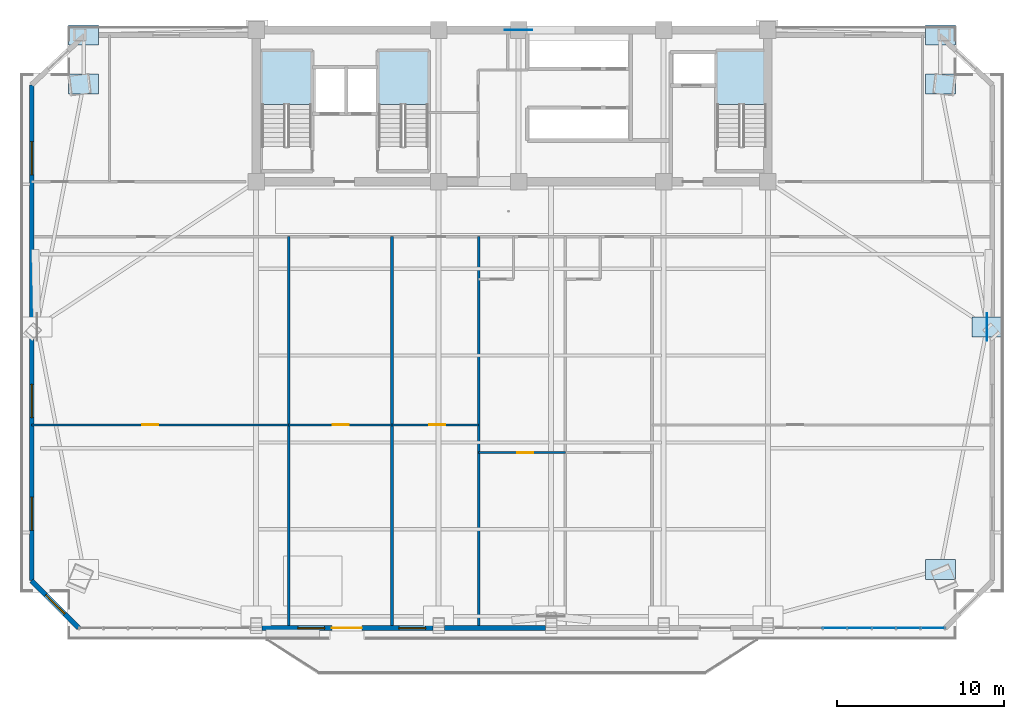
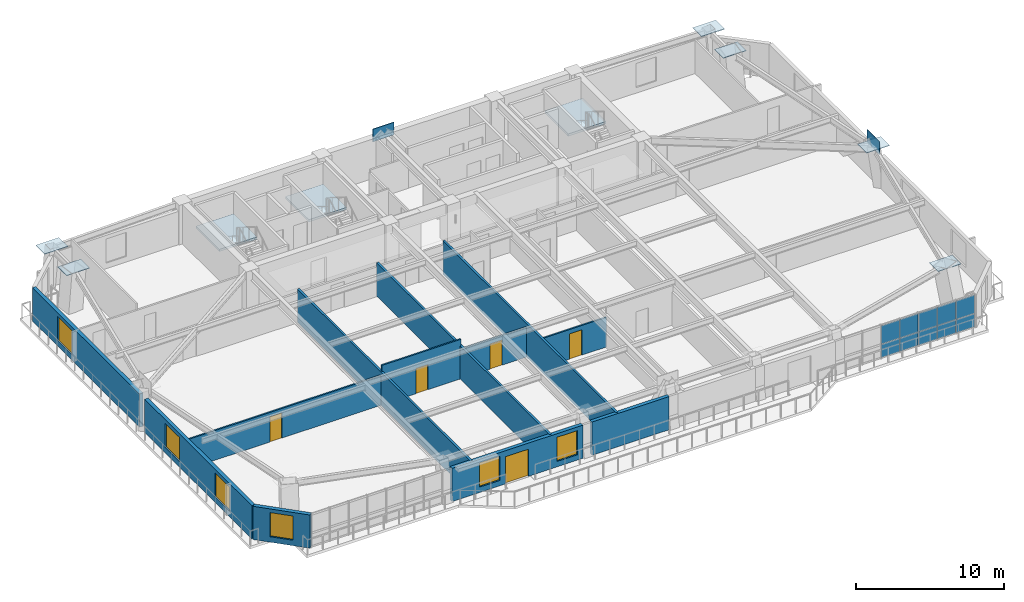
# One storey, part 7 of 16: 18 plates, 12 walls, 6 windows, 5 doors, 3 slabs, 11 openings, 4 elements without a shape of their own.
"""IFC4 building model written with IfcOpenShell, lengths in metres."""

import ifcopenshell
import ifcopenshell.guid

model = None  # the IFC model being written
_history = None  # IfcOwnerHistory: only IFC2X3 demands one
_inside = {}  # id of a spatial element -> (the spatial element, [elements in it])
_under = {}  # id of a project, library or spatial element -> (it, [spatial elements below it])
_declared = {}  # id of a project -> (the project, [libraries it declares])
_typed = {}  # id of a type object -> (the type object, [elements of that type])
_made_of = {}  # id of a material, layer set ... -> (it, [elements and type objects made of it])


def new_model(schema):
    """Start an empty IFC model of exactly this schema.

    Asked for "IFC4X3", IfcOpenShell would pick the latest addendum, in which some entities
    have other attributes; the version numbers below select the first issue.
    IFC2X3 requires an IfcOwnerHistory on every rooted entity: one is made here for all.
    """
    global model, _history
    if schema == "IFC4X3":
        model = ifcopenshell.file(schema_version=(4, 3, 0, 0))
    else:
        model = ifcopenshell.file(schema=schema)
    _inside.clear()
    _under.clear()
    _declared.clear()
    _typed.clear()
    _made_of.clear()
    _history = None
    if model.schema == "IFC2X3":
        org = make("IfcOrganization", Name="unknown")
        user = make(
            "IfcPersonAndOrganization",
            ThePerson=make("IfcPerson", FamilyName="unknown"),
            TheOrganization=org,
        )
        app = make(
            "IfcApplication",
            ApplicationDeveloper=org,
            Version="unknown",
            ApplicationFullName="unknown",
            ApplicationIdentifier="unknown",
        )
        _history = make(
            "IfcOwnerHistory",
            OwningUser=user,
            OwningApplication=app,
            ChangeAction="ADDED",
            CreationDate=0,
        )
    return model


def make(cls, **values):
    """One entity of the class cls with the attributes given. An attribute that is None is left unset."""
    return model.create_entity(
        cls, **{name: value for name, value in values.items() if value is not None}
    )


def rooted(cls, **values):
    """An entity with a GlobalId (a new one), such as an element, a storey or a relation."""
    return make(cls, GlobalId=ifcopenshell.guid.new(), OwnerHistory=_history, **values)


def si_unit(unit_type, name, prefix=None):
    """IfcSIUnit, for example si_unit("LENGTHUNIT", "METRE", prefix="MILLI")."""
    return make("IfcSIUnit", UnitType=unit_type, Prefix=prefix, Name=name)


def assignment(units):
    """IfcUnitAssignment: the units of a project."""
    return None if units is None else make("IfcUnitAssignment", Units=units)


def point(xyz):
    """IfcCartesianPoint."""
    return None if xyz is None else make("IfcCartesianPoint", Coordinates=xyz)


def direction(xyz):
    """IfcDirection."""
    return None if xyz is None else make("IfcDirection", DirectionRatios=xyz)


def frame(location, z_axis=None, x_axis=None):
    """IfcAxis2Placement3D, a coordinate frame: its origin and axes. An axis left out is left unset."""
    return make(
        "IfcAxis2Placement3D",
        Location=point(location),
        Axis=direction(z_axis),
        RefDirection=direction(x_axis),
    )


def frame_2d(location, x_axis=None):
    """IfcAxis2Placement2D, a coordinate frame in the plane: its origin and x axis."""
    return make(
        "IfcAxis2Placement2D", Location=point(location), RefDirection=direction(x_axis)
    )


def origin():
    """The frame at (0, 0, 0) with its axes left unset."""
    return frame((0.0, 0.0, 0.0))


def origin_2d():
    """The frame at (0, 0) in the plane with its x axis left unset."""
    return frame_2d((0.0, 0.0))


def place(relative_to, where):
    """IfcLocalPlacement: puts the frame where relative to a parent placement (None: the world)."""
    return make(
        "IfcLocalPlacement", PlacementRelTo=relative_to, RelativePlacement=where
    )


def context(
    kind, dimensions, precision=None, world=None, true_north=None, identifier=None
):
    """IfcGeometricRepresentationContext, for example the 3D "Model" context."""
    return make(
        "IfcGeometricRepresentationContext",
        ContextIdentifier=identifier,
        ContextType=kind,
        CoordinateSpaceDimension=dimensions,
        Precision=precision,
        WorldCoordinateSystem=world,
        TrueNorth=true_north,
    )


def subcontext(parent, identifier, kind, view, scale=None):
    """IfcGeometricRepresentationSubContext, for example "Body" below "Model"."""
    return make(
        "IfcGeometricRepresentationSubContext",
        ContextIdentifier=identifier,
        ContextType=kind,
        ParentContext=parent,
        TargetScale=scale,
        TargetView=view,
    )


def project(units=None, contexts=None):
    """IfcProject with its units and contexts."""
    return rooted(
        "IfcProject",
        Name="project",
        RepresentationContexts=contexts,
        UnitsInContext=assignment(units),
    )


def spatial(cls, under=None, at=None, **own):
    """A site, building, storey or space (cls), placed at a placement, below another one or the project."""
    s = rooted(cls, ObjectPlacement=at, **own)
    if under is not None:
        _under.setdefault(under.id(), (under, []))[1].append(s)
    return s


def polyline(points):
    """IfcPolyline through the points."""
    return make("IfcPolyline", Points=[point(p) for p in points])


def profile(cls, at=None, kind="AREA", **sizes):
    """A parametric profile (cls). Its sizes go by their IFC names, for example OverallWidth=200.0."""
    return make(cls, ProfileType=kind, Position=at, **sizes)


def rectangle(**sizes):
    """IfcRectangleProfileDef."""
    return profile("IfcRectangleProfileDef", **sizes)


def outline(outer, holes=None, kind="AREA"):
    """IfcArbitraryClosedProfileDef: a profile drawn as a closed curve; with holes, ...WithVoids."""
    if holes is None:
        return make("IfcArbitraryClosedProfileDef", ProfileType=kind, OuterCurve=outer)
    return make(
        "IfcArbitraryProfileDefWithVoids",
        ProfileType=kind,
        OuterCurve=outer,
        InnerCurves=holes,
    )


def extrude(swept, where, along, depth):
    """IfcExtrudedAreaSolid: the profile swept, set in the frame where, extruded along a direction by depth."""
    return make(
        "IfcExtrudedAreaSolid",
        SweptArea=swept,
        Position=where,
        ExtrudedDirection=direction(along),
        Depth=depth,
    )


def shape(context_of_items, identifier, shape_type, items):
    """IfcShapeRepresentation: the items that make up one representation, for example the "Body"."""
    return make(
        "IfcShapeRepresentation",
        ContextOfItems=context_of_items,
        RepresentationIdentifier=identifier,
        RepresentationType=shape_type,
        Items=items,
    )


def source(mapping_origin, context_of_items, identifier, shape_type, items):
    """IfcRepresentationMap: a shape defined once, which mapped items show again and again."""
    return make(
        "IfcRepresentationMap",
        MappingOrigin=mapping_origin,
        MappedRepresentation=shape(context_of_items, identifier, shape_type, items),
    )


def transform(
    local_origin,
    x_axis=None,
    y_axis=None,
    z_axis=None,
    scale=None,
    scale2=None,
    scale3=None,
    uniform=True,
):
    """IfcCartesianTransformationOperator3D, or its non-uniform kind. x_axis, y_axis, z_axis: its Axis1, 2, 3."""
    if uniform:
        return make(
            "IfcCartesianTransformationOperator3D",
            Axis1=direction(x_axis),
            Axis2=direction(y_axis),
            LocalOrigin=point(local_origin),
            Scale=scale,
            Axis3=direction(z_axis),
        )
    return make(
        "IfcCartesianTransformationOperator3DnonUniform",
        Axis1=direction(x_axis),
        Axis2=direction(y_axis),
        LocalOrigin=point(local_origin),
        Scale=scale,
        Axis3=direction(z_axis),
        Scale2=scale2,
        Scale3=scale3,
    )


def mapped(mapping_source, mapping_target):
    """IfcMappedItem: shows the shape of a source again, moved by a transform."""
    return make(
        "IfcMappedItem", MappingSource=mapping_source, MappingTarget=mapping_target
    )


def material(Name=None, Category=None):
    """IfcMaterial."""
    return make("IfcMaterial", Name=Name, Category=Category)


def layer(
    of_material, thickness, ventilated=None, Name=None, Category=None, Priority=None
):
    """IfcMaterialLayer: one layer of a wall or slab, of a material (None: an air gap)."""
    return make(
        "IfcMaterialLayer",
        Material=of_material,
        LayerThickness=thickness,
        IsVentilated=ventilated,
        Name=Name,
        Category=Category,
        Priority=Priority,
    )


def layer_set(layers, Name=None):
    """IfcMaterialLayerSet."""
    return make("IfcMaterialLayerSet", MaterialLayers=layers, LayerSetName=Name)


def made_of(thing, what):
    """Note that an element or type object is made of a material, layer set ...; save() writes the relation."""
    if what is not None:
        _made_of.setdefault(what.id(), (what, []))[1].append(thing)
    return thing


def type_object(cls, material=None, **own):
    """A type object (cls), such as IfcWallType, which elements share."""
    return made_of(rooted(cls, **own), material)


def element(
    cls,
    number,
    at=None,
    inside=None,
    cuts=None,
    type_object=None,
    material=None,
    context=None,
    identifier="Body",
    shape_type=None,
    held_by="IfcProductDefinitionShape",
    body=None,
    shapes=None,
    **own,
):
    """One element of the class cls, such as IfcWall. Its Tag is "e" and its number.

    at: its placement. inside: the storey or other place that contains it. cuts: it is an
    opening in that element (IfcRelVoidsElement). A single representation is given by context,
    identifier, shape_type and body (its items); several are given by shapes. held_by: the class
    of the entity that holds the representations. save() writes the other relations.
    """
    e = rooted(cls, Tag="e%d" % number, ObjectPlacement=at, **own)
    if body is not None:
        shapes = [shape(context, identifier, shape_type, body)]
    if shapes is not None:
        e.Representation = make(held_by, Representations=shapes)
    if inside is not None:
        _inside.setdefault(inside.id(), (inside, []))[1].append(e)
    if cuts is not None:
        rooted(
            "IfcRelVoidsElement", RelatingBuildingElement=cuts, RelatedOpeningElement=e
        )
    if type_object is not None:
        _typed.setdefault(type_object.id(), (type_object, []))[1].append(e)
    return made_of(e, material)


def fill(opening, filler):
    """IfcRelFillsElement: the door or window that sits in an opening."""
    return rooted(
        "IfcRelFillsElement",
        RelatingOpeningElement=opening,
        RelatedBuildingElement=filler,
    )


def aggregate(whole, parts):
    """IfcRelAggregates: a whole, such as a stair, and the parts it consists of."""
    return rooted("IfcRelAggregates", RelatingObject=whole, RelatedObjects=parts)


def save(model, path):
    """Write the relations noted so far, then the file.

    IfcRelAggregates (storeys below a building ...), IfcRelContainedInSpatialStructure (elements
    in a storey), IfcRelDefinesByType, IfcRelAssociatesMaterial and IfcRelDeclares: one each for
    every whole, place, type object, material and project.
    """
    for whole, parts in _under.values():
        aggregate(whole, parts)
    for where, things in _inside.values():
        rooted(
            "IfcRelContainedInSpatialStructure",
            RelatedElements=things,
            RelatingStructure=where,
        )
    for kind, things in _typed.values():
        rooted("IfcRelDefinesByType", RelatedObjects=things, RelatingType=kind)
    for what, things in _made_of.values():
        rooted("IfcRelAssociatesMaterial", RelatedObjects=things, RelatingMaterial=what)
    for by, libraries in _declared.values():
        rooted("IfcRelDeclares", RelatingContext=by, RelatedDefinitions=libraries)
    model.write(path)


model = new_model("IFC4")

# Units and contexts
model_context = context("Model", 3, precision=1e-05, world=origin(), true_north=direction((0.0, 1.0)))
body_context = subcontext(model_context, "Body", "Model", "MODEL_VIEW")
ifc_project = project(units=[si_unit("LENGTHUNIT", "METRE"), si_unit("AREAUNIT", "SQUARE_METRE"), si_unit("VOLUMEUNIT", "CUBIC_METRE"), si_unit("PLANEANGLEUNIT", "RADIAN"), si_unit("MASSUNIT", "GRAM", prefix="KILO")], contexts=[model_context])

# Site, building, storey
site_placement = place(None, origin())
site = spatial("IfcSite", under=ifc_project, at=site_placement, CompositionType="ELEMENT")
building_placement = place(site_placement, origin())
building = spatial("IfcBuilding", under=site, at=building_placement, Name="Giltprow Tower", CompositionType="ELEMENT")
storey_placement = place(building_placement, frame((0.0, 0.0, 199.199951171875)))
storey = spatial("IfcBuildingStorey", under=building, at=storey_placement, Name="L50", CompositionType="ELEMENT", Elevation=199.199951171875)

# Stair, slab
ifc_material_1 = material(Name="Concrete C40", Category="concrete")
stair_type_1 = type_object("IfcStairType", Name="STR-ST-1", PredefinedType="HALF_TURN_STAIR", material=ifc_material_1)
stair_1_placement = place(storey_placement, origin())
stair_1 = element("IfcStair", 1, at=stair_1_placement, inside=storey, type_object=stair_type_1, Name="L50 Core Exit Stair ST-1", PredefinedType="HALF_TURN_STAIR")
ifc_layer_1 = layer(ifc_material_1, 0.179931640625, Name="Concrete C40")
ifc_layer_set_1 = layer_set([ifc_layer_1], Name="Concrete C40")
slab_type_1 = type_object("IfcSlabType", Name="SLD-ST-1", PredefinedType="LANDING", material=ifc_layer_set_1)
slab_1_placement = place(storey_placement, frame((0.0, 0.0, 1.570068359375)))
slab_1 = element("IfcSlab", 2, at=slab_1_placement, type_object=slab_type_1, Name="ST-1 landing 1", PredefinedType="LANDING", context=body_context, shape_type="SweptSolid", body=[
    extrude(outline(polyline([(23.159912109375, 42.070068359375), (23.159912109375, 45.25), (20.199951171875, 45.25), (20.199951171875, 42.070068359375), (23.159912109375, 42.070068359375)])), origin(), (0.0, 0.0, 1.0), 0.179931640625),
])
aggregate(stair_1, [slab_1])

stair_type_2 = type_object("IfcStairType", Name="STR-ST-2", PredefinedType="HALF_TURN_STAIR", material=ifc_material_1)
stair_2_placement = place(storey_placement, origin())
stair_2 = element("IfcStair", 3, at=stair_2_placement, inside=storey, type_object=stair_type_2, Name="L50 Core Exit Stair ST-2", PredefinedType="HALF_TURN_STAIR")
ifc_layer_2 = layer(ifc_material_1, 0.18798828125, Name="Concrete C40")
ifc_layer_set_2 = layer_set([ifc_layer_2], Name="Concrete C40")
slab_type_2 = type_object("IfcSlabType", Name="SLD-ST-2", PredefinedType="LANDING", material=ifc_layer_set_2)
slab_2_placement = place(storey_placement, frame((0.0, 0.0, 1.56201171875)))
slab_2 = element("IfcSlab", 4, at=slab_2_placement, type_object=slab_type_2, Name="ST-2 landing 1", PredefinedType="LANDING", context=body_context, shape_type="SweptSolid", body=[
    extrude(outline(polyline([(30.159912109375, 42.070068359375), (30.159912109375, 45.25), (27.199951171875, 45.25), (27.199951171875, 42.070068359375), (30.159912109375, 42.070068359375)])), origin(), (0.0, 0.0, 1.0), 0.18798828125),
])
aggregate(stair_2, [slab_2])

stair_type_3 = type_object("IfcStairType", Name="STR-ST-3", PredefinedType="HALF_TURN_STAIR", material=ifc_material_1)
stair_3_placement = place(storey_placement, origin())
stair_3 = element("IfcStair", 5, at=stair_3_placement, inside=storey, type_object=stair_type_3, Name="L50 Core Exit Stair ST-3", PredefinedType="HALF_TURN_STAIR")
ifc_layer_3 = layer(ifc_material_1, 0.196044921875, Name="Concrete C40")
ifc_layer_set_3 = layer_set([ifc_layer_3], Name="Concrete C40")
slab_type_3 = type_object("IfcSlabType", Name="SLD-ST-3", PredefinedType="LANDING", material=ifc_layer_set_3)
slab_3_placement = place(storey_placement, frame((0.0, 0.0, 1.553955078125)))
slab_3 = element("IfcSlab", 6, at=slab_3_placement, type_object=slab_type_3, Name="ST-3 landing 1", PredefinedType="LANDING", context=body_context, shape_type="SweptSolid", body=[
    extrude(outline(polyline([(50.4599609375, 42.070068359375), (50.4599609375, 45.25), (47.5, 45.25), (47.5, 42.070068359375), (50.4599609375, 42.070068359375)])), origin(), (0.0, 0.0, 1.0), 0.196044921875),
])
aggregate(stair_3, [slab_3])

# Plates
ifc_material_2 = material(Name="Structural steel Q420GJC", Category="steel")
plate_type_1 = type_object("IfcPlateType", Name="PLT-NODE-CKN1", PredefinedType="USERDEFINED", material=ifc_material_2)
shared_shape_1 = source(origin(), body_context, "Body", "SweptSolid", [
    extrude(rectangle(XDim=1.800048828125, YDim=1.199951171875, at=origin_2d()), origin(), (0.0, 0.0, 1.0), 0.044921875),
])
for number, where, z_axis, x_axis, name in (
    (7, (60.89794921875, 14.18603515625, 3.2275390625), (0.0, 0.0, 1.0), (1.0, 0.0, 0.0), "CKN1 Column Taper Splice Node L50-MC_SE"),
    (8, (9.5029296875, 43.300048828125, 3.2275390625), (0.0, 0.0, 1.0), (1.0, 0.0, 0.0), "CKN1 Column Taper Splice Node L50-MC_NW"),
    (9, (60.89794921875, 43.300048828125, 3.2275390625), (0.0, 0.0, 1.0), (1.0, 0.0, 0.0), "CKN1 Column Taper Splice Node L50-MC_NE"),
    (10, (63.697998046875, 28.742919921875, 3.2275390625), (0.0, 0.0, 1.0), (1.0, 0.0, 0.0), "CKN1 Column Taper Splice Node L50-E_MID"),
    (11, (9.5029296875, 46.25, 3.2275390625), (0.0, 0.0, 1.0), (1.0, 0.0, 0.0), "CKN1 Column Taper Splice Node L50-N_W"),
    (12, (60.89794921875, 46.25, 3.2275390625), (0.0, 0.0, 1.0), (1.0, 0.0, 0.0), "CKN1 Column Taper Splice Node L50-N_E"),
):
    element("IfcPlate", number, at=place(storey_placement, frame(where, z_axis=z_axis, x_axis=x_axis)), inside=storey, type_object=plate_type_1, Name=name, ObjectType="SPLICE", PredefinedType="USERDEFINED", context=body_context, shape_type="MappedRepresentation", body=[
        mapped(shared_shape_1, transform((0.0, 0.0, 0.0), x_axis=(1.0, 0.0, 0.0), y_axis=(0.0, 1.0, 0.0), z_axis=(0.0, 0.0, 1.0), scale=1.0)),
    ])
plate_type_2 = type_object("IfcPlateType", Name="PLT-NODE-MBN2", PredefinedType="USERDEFINED", material=ifc_material_2)
shared_shape_2 = source(origin(), body_context, "Body", "SweptSolid", [
    extrude(rectangle(XDim=1.64990234375, YDim=0.044921875, at=origin_2d()), origin(), (0.0, 0.0, 1.0), 1.050048828125),
])
for number, where, z_axis, x_axis, name in (
    (13, (35.60009765625, 46.550048828125, 2.8349609375), (0.0, 0.0, 1.0), (1.0, 0.0, 0.0), "Mega-Brace Node L50-N-LB"),
    (14, (63.697998046875, 28.742919921875, 2.97509765625), (0.0, 0.0, 1.0), (0.0, 1.0, 0.0), "Mega-Brace Node L50-E-RB"),
):
    element("IfcPlate", number, at=place(storey_placement, frame(where, z_axis=z_axis, x_axis=x_axis)), inside=storey, type_object=plate_type_2, Name=name, ObjectType="GUSSET", PredefinedType="USERDEFINED", context=body_context, shape_type="MappedRepresentation", body=[
        mapped(shared_shape_2, transform((0.0, 0.0, 0.0), x_axis=(1.0, 0.0, 0.0), y_axis=(0.0, 1.0, 0.0), z_axis=(0.0, 0.0, 1.0), scale=1.0)),
    ])

# Curtain wall, plates
ifc_material_3 = material(Name="Anodized bronze", Category="metal")
ifc_layer_4 = layer(ifc_material_3, 0.179931640625, Name="Anodized bronze")
ifc_layer_set_4 = layer_set([ifc_layer_4], Name="Anodized bronze")
curtain_wall_type = type_object("IfcCurtainWallType", Name="CW-HTL-BRONZE", PredefinedType="NOTDEFINED", material=ifc_layer_set_4)
curtain_wall_placement = place(storey_placement, origin())
curtain_wall = element("IfcCurtainWall", 15, at=curtain_wall_placement, inside=storey, type_object=curtain_wall_type, Name="L50 South Recessed Curtain Wall 6", PredefinedType="NOTDEFINED")
ifc_material_4 = material(Name="Insulated glass", Category="glass")
plate_type_3 = type_object("IfcPlateType", Name="CW-PANEL-IGU-28", PredefinedType="CURTAIN_PANEL", material=ifc_material_4)
shared_shape_3 = source(origin(), body_context, "Body", "SweptSolid", [
    extrude(rectangle(XDim=1.43798828125, YDim=0.028076171875, at=origin_2d()), origin(), (0.0, 0.0, 1.0), 1.0869140625),
])
plate_1_placement = place(storey_placement, frame((54.570068359375, 10.679931640625, 0.0546875), z_axis=(0.0, 0.0, 1.0), x_axis=(1.0, 0.0, 0.0)))
plate_1 = element("IfcPlate", 16, at=plate_1_placement, type_object=plate_type_3, Name="L50 South Recessed Curtain Wall 6 Glazing Panel 3-1", PredefinedType="CURTAIN_PANEL", context=body_context, shape_type="MappedRepresentation", body=[
    mapped(shared_shape_3, transform((0.0, 0.0, 0.0), x_axis=(1.0, 0.0, 0.0), y_axis=(0.0, 1.0, 0.0), z_axis=(0.0, 0.0, 1.0), scale=1.0)),
])
plate_2_placement = place(storey_placement, frame((56.0380859375, 10.679931640625, 0.0546875), z_axis=(0.0, 0.0, 1.0), x_axis=(1.0, 0.0, 0.0)))
plate_2 = element("IfcPlate", 17, at=plate_2_placement, type_object=plate_type_3, Name="L50 South Recessed Curtain Wall 6 Glazing Panel 4-1", PredefinedType="CURTAIN_PANEL", context=body_context, shape_type="MappedRepresentation", body=[
    mapped(shared_shape_3, transform((0.0, 0.0, 0.0), x_axis=(1.0, 0.0, 0.0), y_axis=(0.0, 1.0, 0.0), z_axis=(0.0, 0.0, 1.0), scale=1.0)),
])
plate_3_placement = place(storey_placement, frame((57.507080078125, 10.679931640625, 0.0546875), z_axis=(0.0, 0.0, 1.0), x_axis=(1.0, 0.0, 0.0)))
plate_3 = element("IfcPlate", 18, at=plate_3_placement, type_object=plate_type_3, Name="L50 South Recessed Curtain Wall 6 Glazing Panel 5-1", PredefinedType="CURTAIN_PANEL", context=body_context, shape_type="MappedRepresentation", body=[
    mapped(shared_shape_3, transform((0.0, 0.0, 0.0), x_axis=(1.0, 0.0, 0.0), y_axis=(0.0, 1.0, 0.0), z_axis=(0.0, 0.0, 1.0), scale=1.0)),
])
plate_4_placement = place(storey_placement, frame((58.97509765625, 10.679931640625, 0.0546875), z_axis=(0.0, 0.0, 1.0), x_axis=(1.0, 0.0, 0.0)))
plate_4 = element("IfcPlate", 19, at=plate_4_placement, type_object=plate_type_3, Name="L50 South Recessed Curtain Wall 6 Glazing Panel 6-1", PredefinedType="CURTAIN_PANEL", context=body_context, shape_type="MappedRepresentation", body=[
    mapped(shared_shape_3, transform((0.0, 0.0, 0.0), x_axis=(1.0, 0.0, 0.0), y_axis=(0.0, 1.0, 0.0), z_axis=(0.0, 0.0, 1.0), scale=1.0)),
])
plate_5_placement = place(storey_placement, frame((60.443115234375, 10.679931640625, 0.0546875), z_axis=(0.0, 0.0, 1.0), x_axis=(1.0, 0.0, 0.0)))
plate_5 = element("IfcPlate", 20, at=plate_5_placement, type_object=plate_type_3, Name="L50 South Recessed Curtain Wall 6 Glazing Panel 7-1", PredefinedType="CURTAIN_PANEL", context=body_context, shape_type="MappedRepresentation", body=[
    mapped(shared_shape_3, transform((0.0, 0.0, 0.0), x_axis=(1.0, 0.0, 0.0), y_axis=(0.0, 1.0, 0.0), z_axis=(0.0, 0.0, 1.0), scale=1.0)),
])
shared_shape_4 = source(origin(), body_context, "Body", "SweptSolid", [
    extrude(rectangle(XDim=1.43798828125, YDim=0.028076171875, at=origin_2d()), origin(), (0.0, 0.0, 1.0), 1.527099609375),
])
plate_6_placement = place(storey_placement, frame((54.570068359375, 10.679931640625, 1.16845703125), z_axis=(0.0, 0.0, 1.0), x_axis=(1.0, 0.0, 0.0)))
plate_6 = element("IfcPlate", 21, at=plate_6_placement, type_object=plate_type_3, Name="L50 South Recessed Curtain Wall 6 Glazing Panel 3-2", PredefinedType="CURTAIN_PANEL", context=body_context, shape_type="MappedRepresentation", body=[
    mapped(shared_shape_4, transform((0.0, 0.0, 0.0), x_axis=(1.0, 0.0, 0.0), y_axis=(0.0, 1.0, 0.0), z_axis=(0.0, 0.0, 1.0), scale=1.0)),
])
plate_7_placement = place(storey_placement, frame((56.0380859375, 10.679931640625, 1.16845703125), z_axis=(0.0, 0.0, 1.0), x_axis=(1.0, 0.0, 0.0)))
plate_7 = element("IfcPlate", 22, at=plate_7_placement, type_object=plate_type_3, Name="L50 South Recessed Curtain Wall 6 Glazing Panel 4-2", PredefinedType="CURTAIN_PANEL", context=body_context, shape_type="MappedRepresentation", body=[
    mapped(shared_shape_4, transform((0.0, 0.0, 0.0), x_axis=(1.0, 0.0, 0.0), y_axis=(0.0, 1.0, 0.0), z_axis=(0.0, 0.0, 1.0), scale=1.0)),
])
plate_8_placement = place(storey_placement, frame((57.507080078125, 10.679931640625, 1.16845703125), z_axis=(0.0, 0.0, 1.0), x_axis=(1.0, 0.0, 0.0)))
plate_8 = element("IfcPlate", 23, at=plate_8_placement, type_object=plate_type_3, Name="L50 South Recessed Curtain Wall 6 Glazing Panel 5-2", PredefinedType="CURTAIN_PANEL", context=body_context, shape_type="MappedRepresentation", body=[
    mapped(shared_shape_4, transform((0.0, 0.0, 0.0), x_axis=(1.0, 0.0, 0.0), y_axis=(0.0, 1.0, 0.0), z_axis=(0.0, 0.0, 1.0), scale=1.0)),
])
plate_9_placement = place(storey_placement, frame((58.97509765625, 10.679931640625, 1.16845703125), z_axis=(0.0, 0.0, 1.0), x_axis=(1.0, 0.0, 0.0)))
plate_9 = element("IfcPlate", 24, at=plate_9_placement, type_object=plate_type_3, Name="L50 South Recessed Curtain Wall 6 Glazing Panel 6-2", PredefinedType="CURTAIN_PANEL", context=body_context, shape_type="MappedRepresentation", body=[
    mapped(shared_shape_4, transform((0.0, 0.0, 0.0), x_axis=(1.0, 0.0, 0.0), y_axis=(0.0, 1.0, 0.0), z_axis=(0.0, 0.0, 1.0), scale=1.0)),
])
plate_10_placement = place(storey_placement, frame((60.443115234375, 10.679931640625, 1.16845703125), z_axis=(0.0, 0.0, 1.0), x_axis=(1.0, 0.0, 0.0)))
plate_10 = element("IfcPlate", 25, at=plate_10_placement, type_object=plate_type_3, Name="L50 South Recessed Curtain Wall 6 Glazing Panel 7-2", PredefinedType="CURTAIN_PANEL", context=body_context, shape_type="MappedRepresentation", body=[
    mapped(shared_shape_4, transform((0.0, 0.0, 0.0), x_axis=(1.0, 0.0, 0.0), y_axis=(0.0, 1.0, 0.0), z_axis=(0.0, 0.0, 1.0), scale=1.0)),
])
aggregate(curtain_wall, [plate_1, plate_6, plate_2, plate_7, plate_3, plate_8, plate_4, plate_9, plate_5, plate_10])

# Wall, opening, window
ifc_material_5 = material(Name="Precast concrete C40", Category="concrete")
ifc_layer_5 = layer(ifc_material_5, 0.300048828125, Name="Precast concrete C40")
ifc_layer_set_5 = layer_set([ifc_layer_5], Name="Precast concrete C40")
wall_type_1 = type_object("IfcWallType", Name="EW-NOTCH-CHAMFER-300", PredefinedType="SOLIDWALL", material=ifc_layer_set_5)
wall_1_placement = place(storey_placement, frame((6.388916015625, 13.514892578125, 0.0), z_axis=(0.0, 0.0, 1.0), x_axis=(0.707137226464, -0.707076334599, 0.0)))
wall_1 = element("IfcWall", 26, at=wall_1_placement, inside=storey, type_object=wall_type_1, Name="L50 Corner Notch Wall SW", PredefinedType="SOLIDWALL", context=body_context, shape_type="SweptSolid", body=[
    extrude(rectangle(XDim=4.009521484375, YDim=0.300048828125, at=frame_2d((2.0048828125, 0.0))), origin(), (0.0, 0.0, 1.0), 2.75),
])
opening_1_placement = place(wall_1_placement, frame((1.205078125, 0.0, 0.449951171875)))
opening_1 = element("IfcOpeningElement", 27, at=opening_1_placement, cuts=wall_1, Name="Opening WN17", PredefinedType="OPENING", context=body_context, shape_type="SweptSolid", body=[
    extrude(rectangle(XDim=1.60009765625, YDim=2.0, at=frame_2d((0.800048828125, 1.0))), frame((0.0, 0.159912109375, 0.0), z_axis=(0.0, -1.0, 0.0), x_axis=(1.0, 0.0, 0.0)), (0.0, 0.0, 1.0), 0.320068359375),
])
window_type_1 = type_object("IfcWindowType", Name="WN-COR-1600x2000", PartitioningType="SINGLE_PANEL", PredefinedType="WINDOW", material=ifc_material_4)
shared_shape_5 = source(origin(), body_context, "Body", "SweptSolid", [
    extrude(rectangle(XDim=1.60009765625, YDim=2.0, at=frame_2d((0.800048828125, 1.0))), frame((0.0, 0.030029296875, 0.0), z_axis=(0.0, -1.0, 0.0), x_axis=(1.0, 0.0, 0.0)), (0.0, 0.0, 1.0), 0.06005859375),
])
window_1_placement = place(opening_1_placement, origin())
window_1 = element("IfcWindow", 28, at=window_1_placement, inside=storey, type_object=window_type_1, Name="L50 Corner Notch Window SW", OverallHeight=2.0, OverallWidth=1.60009765625, PartitioningType="SINGLE_PANEL", PredefinedType="WINDOW", context=body_context, shape_type="MappedRepresentation", body=[
    mapped(shared_shape_5, transform((0.0, 0.0, 0.0), x_axis=(1.0, 0.0, 0.0), y_axis=(0.0, 1.0, 0.0), z_axis=(0.0, 0.0, 1.0), scale=1.0)),
])
fill(opening_1, window_1)

# Wall, openings, windows, door
ifc_layer_6 = layer(ifc_material_5, 0.280029296875, Name="Precast concrete C40")
ifc_layer_set_6 = layer_set([ifc_layer_6], Name="Precast concrete C40")
wall_type_2 = type_object("IfcWallType", Name="EW-TOW-BRONZE-280", PredefinedType="SOLIDWALL", material=ifc_layer_set_6)
wall_2_placement = place(storey_placement, frame((20.199951171875, 10.679931640625, 0.0), z_axis=(0.0, 0.0, 1.0), x_axis=(1.0, 0.0, 0.0)))
wall_2 = element("IfcWall", 29, at=wall_2_placement, inside=storey, type_object=wall_type_2, Name="L50 South Expressed Frame Wall 2", PredefinedType="SOLIDWALL", context=body_context, shape_type="SweptSolid", body=[
    extrude(rectangle(XDim=10.25, YDim=0.280029296875, at=frame_2d((5.125, 0.0))), origin(), (0.0, 0.0, 1.0), 2.75),
])
opening_2_placement = place(wall_2_placement, frame((4.199951171875, 0.0, 0.0)))
opening_2 = element("IfcOpeningElement", 30, at=opening_2_placement, cuts=wall_2, Name="Opening ED25", PredefinedType="OPENING", context=body_context, shape_type="SweptSolid", body=[
    extrude(rectangle(XDim=1.800048828125, YDim=2.25, at=frame_2d((0.89990234375, 1.125))), frame((0.0, 0.14990234375, 0.0), z_axis=(0.0, -1.0, 0.0), x_axis=(1.0, 0.0, 0.0)), (0.0, 0.0, 1.0), 0.300048828125),
])
opening_3_placement = place(wall_2_placement, frame((2.155029296875, 0.0, 0.449951171875)))
opening_3 = element("IfcOpeningElement", 31, at=opening_3_placement, cuts=wall_2, Name="Opening WN17", PredefinedType="OPENING", context=body_context, shape_type="SweptSolid", body=[
    extrude(rectangle(XDim=1.60009765625, YDim=2.0, at=frame_2d((0.800048828125, 1.0))), frame((0.0, 0.14990234375, 0.0), z_axis=(0.0, -1.0, 0.0), x_axis=(1.0, 0.0, 0.0)), (0.0, 0.0, 1.0), 0.300048828125),
])
opening_4_placement = place(wall_2_placement, frame((8.219970703125, 0.0, 0.449951171875)))
opening_4 = element("IfcOpeningElement", 32, at=opening_4_placement, cuts=wall_2, Name="Opening WN17", PredefinedType="OPENING", context=body_context, shape_type="SweptSolid", body=[
    extrude(rectangle(XDim=1.60009765625, YDim=2.0, at=frame_2d((0.800048828125, 1.0))), frame((0.0, 0.14990234375, 0.0), z_axis=(0.0, -1.0, 0.0), x_axis=(1.0, 0.0, 0.0)), (0.0, 0.0, 1.0), 0.300048828125),
])
window_2_placement = place(opening_3_placement, origin())
window_2 = element("IfcWindow", 33, at=window_2_placement, inside=storey, type_object=window_type_1, Name="L50 South Window 2A", OverallHeight=2.0, OverallWidth=1.60009765625, PartitioningType="SINGLE_PANEL", PredefinedType="WINDOW", context=body_context, shape_type="MappedRepresentation", body=[
    mapped(shared_shape_5, transform((0.0, 0.0, 0.0), x_axis=(1.0, 0.0, 0.0), y_axis=(0.0, 1.0, 0.0), z_axis=(0.0, 0.0, 1.0), scale=1.0)),
])
fill(opening_3, window_2)
window_3_placement = place(opening_4_placement, origin())
window_3 = element("IfcWindow", 34, at=window_3_placement, inside=storey, type_object=window_type_1, Name="L50 South Window 2B", OverallHeight=2.0, OverallWidth=1.60009765625, PartitioningType="SINGLE_PANEL", PredefinedType="WINDOW", context=body_context, shape_type="MappedRepresentation", body=[
    mapped(shared_shape_5, transform((0.0, 0.0, 0.0), x_axis=(1.0, 0.0, 0.0), y_axis=(0.0, 1.0, 0.0), z_axis=(0.0, 0.0, 1.0), scale=1.0)),
])
fill(opening_4, window_3)
ifc_material_6 = material(Name="Anodized bronze and glass", Category="glass")
door_type_1 = type_object("IfcDoorType", Name="DR-BALC-SLIDE-1800", OperationType="SLIDING_TO_LEFT", PredefinedType="DOOR", material=ifc_material_6)
shared_shape_6 = source(origin(), body_context, "Body", "SweptSolid", [
    extrude(rectangle(XDim=1.800048828125, YDim=2.25, at=frame_2d((0.89990234375, 1.125))), frame((0.0, 0.02490234375, 0.0), z_axis=(0.0, -1.0, 0.0), x_axis=(1.0, 0.0, 0.0)), (0.0, 0.0, 1.0), 0.050048828125),
])
door_1_placement = place(opening_2_placement, origin())
door_1 = element("IfcDoor", 35, at=door_1_placement, inside=storey, type_object=door_type_1, Name="L50 Waterfront Balcony Sliding Door 1", OperationType="SLIDING_TO_LEFT", OverallHeight=2.25, OverallWidth=1.800048828125, PredefinedType="DOOR", context=body_context, shape_type="MappedRepresentation", body=[
    mapped(shared_shape_6, transform((0.0, 0.0, 0.0), x_axis=(1.0, 0.0, 0.0), y_axis=(0.0, 1.0, 0.0), z_axis=(0.0, 0.0, 1.0), scale=1.0)),
])
fill(opening_2, door_1)

# Wall
wall_3_placement = place(storey_placement, frame((31.14990234375, 10.679931640625, 0.0), z_axis=(0.0, 0.0, 1.0), x_axis=(1.0, 0.0, 0.0)))
element("IfcWall", 36, at=wall_3_placement, inside=storey, type_object=wall_type_2, Name="L50 South Expressed Frame Wall 3", PredefinedType="SOLIDWALL", context=body_context, shape_type="SweptSolid", body=[
    extrude(rectangle(XDim=6.050048828125, YDim=0.280029296875, at=frame_2d((3.02490234375, 0.0))), origin(), (0.0, 0.0, 1.0), 2.75),
])

# Wall, openings, windows
wall_4_placement = place(storey_placement, frame((6.388916015625, 13.514892578125, 0.0), z_axis=(0.0, 0.0, 1.0), x_axis=(0.0, 1.0, 0.0)))
wall_4 = element("IfcWall", 37, at=wall_4_placement, inside=storey, type_object=wall_type_2, Name="L50 W Wing Masonry Wall 1", PredefinedType="SOLIDWALL", context=body_context, shape_type="SweptSolid", body=[
    extrude(rectangle(XDim=14.525146484375, YDim=0.280029296875, at=frame_2d((7.2626953125, 0.0))), origin(), (0.0, 0.0, 1.0), 2.75),
])
opening_5_placement = place(wall_4_placement, frame((3.01708984375, 0.0, 0.449951171875)))
opening_5 = element("IfcOpeningElement", 38, at=opening_5_placement, cuts=wall_4, Name="Opening WN21", PredefinedType="OPENING", context=body_context, shape_type="SweptSolid", body=[
    extrude(rectangle(XDim=2.0, YDim=2.0, at=frame_2d((1.0, 1.0))), frame((0.0, 0.14990234375, 0.0), z_axis=(0.0, -1.0, 0.0), x_axis=(1.0, 0.0, 0.0)), (0.0, 0.0, 1.0), 0.300048828125),
])
opening_6_placement = place(wall_4_placement, frame((9.779052734375, 0.0, 0.449951171875)))
opening_6 = element("IfcOpeningElement", 39, at=opening_6_placement, cuts=wall_4, Name="Opening WN21", PredefinedType="OPENING", context=body_context, shape_type="SweptSolid", body=[
    extrude(rectangle(XDim=2.0, YDim=2.0, at=frame_2d((1.0, 1.0))), frame((0.0, 0.14990234375, 0.0), z_axis=(0.0, -1.0, 0.0), x_axis=(1.0, 0.0, 0.0)), (0.0, 0.0, 1.0), 0.300048828125),
])
window_type_2 = type_object("IfcWindowType", Name="WN-HTL-2000x2000", PartitioningType="DOUBLE_PANEL_VERTICAL", PredefinedType="WINDOW", material=ifc_material_4)
shared_shape_7 = source(origin(), body_context, "Body", "SweptSolid", [
    extrude(rectangle(XDim=2.0, YDim=2.0, at=frame_2d((1.0, 1.0))), frame((0.0, 0.030029296875, 0.0), z_axis=(0.0, -1.0, 0.0), x_axis=(1.0, 0.0, 0.0)), (0.0, 0.0, 1.0), 0.06005859375),
])
window_4_placement = place(opening_5_placement, origin())
window_4 = element("IfcWindow", 40, at=window_4_placement, inside=storey, type_object=window_type_2, Name="L50 W Wing Window 1-1A", OverallHeight=2.0, OverallWidth=2.0, PartitioningType="SINGLE_PANEL", PredefinedType="WINDOW", context=body_context, shape_type="MappedRepresentation", body=[
    mapped(shared_shape_7, transform((0.0, 0.0, 0.0), x_axis=(1.0, 0.0, 0.0), y_axis=(0.0, 1.0, 0.0), z_axis=(0.0, 0.0, 1.0), scale=1.0)),
])
fill(opening_5, window_4)
window_5_placement = place(opening_6_placement, origin())
window_5 = element("IfcWindow", 41, at=window_5_placement, inside=storey, type_object=window_type_2, Name="L50 W Wing Window 1-1B", OverallHeight=2.0, OverallWidth=2.0, PartitioningType="SINGLE_PANEL", PredefinedType="WINDOW", context=body_context, shape_type="MappedRepresentation", body=[
    mapped(shared_shape_7, transform((0.0, 0.0, 0.0), x_axis=(1.0, 0.0, 0.0), y_axis=(0.0, 1.0, 0.0), z_axis=(0.0, 0.0, 1.0), scale=1.0)),
])
fill(opening_6, window_5)

# Wall, opening, window
wall_5_placement = place(storey_placement, frame((6.388916015625, 28.739990234375, 0.0), z_axis=(0.0, 0.0, 1.0), x_axis=(0.0, 1.0, 0.0)))
wall_5 = element("IfcWall", 42, at=wall_5_placement, inside=storey, type_object=wall_type_2, Name="L50 W Wing Masonry Wall 2", PredefinedType="SOLIDWALL", context=body_context, shape_type="SweptSolid", body=[
    extrude(rectangle(XDim=14.52490234375, YDim=0.280029296875, at=frame_2d((7.262451171875, 0.0))), origin(), (0.0, 0.0, 1.0), 2.75),
])
opening_7_placement = place(wall_5_placement, frame((9.114990234375, 0.0, 0.449951171875)))
opening_7 = element("IfcOpeningElement", 43, at=opening_7_placement, cuts=wall_5, Name="Opening WN21", PredefinedType="OPENING", context=body_context, shape_type="SweptSolid", body=[
    extrude(rectangle(XDim=2.0, YDim=2.0, at=frame_2d((1.0, 1.0))), frame((0.0, 0.14990234375, 0.0), z_axis=(0.0, -1.0, 0.0), x_axis=(1.0, 0.0, 0.0)), (0.0, 0.0, 1.0), 0.300048828125),
])
window_6_placement = place(opening_7_placement, origin())
window_6 = element("IfcWindow", 44, at=window_6_placement, inside=storey, type_object=window_type_2, Name="L50 W Wing Window 2-1", OverallHeight=2.0, OverallWidth=2.0, PartitioningType="SINGLE_PANEL", PredefinedType="WINDOW", context=body_context, shape_type="MappedRepresentation", body=[
    mapped(shared_shape_7, transform((0.0, 0.0, 0.0), x_axis=(1.0, 0.0, 0.0), y_axis=(0.0, 1.0, 0.0), z_axis=(0.0, 0.0, 1.0), scale=1.0)),
])
fill(opening_7, window_6)

# Walls
ifc_material_7 = material(Name="Gypsum stud partition", Category="gypsum")
ifc_layer_7 = layer(ifc_material_7, 0.159912109375, Name="Gypsum stud partition")
ifc_layer_set_7 = layer_set([ifc_layer_7], Name="Gypsum stud partition")
wall_type_3 = type_object("IfcWallType", Name="IW-DEMISE-160", PredefinedType="PARTITIONING", material=ifc_layer_set_7)
for number, where, z_axis, x_axis, name in (
    (45, (21.800048828125, 10.679931640625, 0.0), (0.0, 0.0, 1.0), (0.0, 1.0, 0.0), "L50 Hotel Demising Wall 1"),
    (46, (28.0, 10.679931640625, 0.0), (0.0, 0.0, 1.0), (0.0, 1.0, 0.0), "L50 Hotel Demising Wall 2"),
    (47, (33.199951171875, 10.679931640625, 0.0), (0.0, 0.0, 1.0), (0.0, 1.0, 0.0), "L50 Hotel Demising Wall 3"),
):
    element("IfcWall", number, at=place(storey_placement, frame(where, z_axis=z_axis, x_axis=x_axis)), inside=storey, type_object=wall_type_3, Name=name, PredefinedType="PARTITIONING", context=body_context, shape_type="SweptSolid", body=[
        extrude(rectangle(XDim=23.469970703125, YDim=0.159912109375, at=frame_2d((11.73486328125, 0.0))), origin(), (0.0, 0.0, 1.0), 2.755126953125),
    ])

# Wall, opening, door
ifc_layer_8 = layer(ifc_material_7, 0.1201171875, Name="Gypsum stud partition")
ifc_layer_set_8 = layer_set([ifc_layer_8], Name="Gypsum stud partition")
wall_type_4 = type_object("IfcWallType", Name="IW-ROOM-120", PredefinedType="PARTITIONING", material=ifc_layer_set_8)
wall_6_placement = place(storey_placement, frame((6.388916015625, 22.867919921875, 0.0), z_axis=(0.0, 0.0, 1.0), x_axis=(1.0, 0.0, 0.0)))
wall_6 = element("IfcWall", 48, at=wall_6_placement, inside=storey, type_object=wall_type_4, Name="L50 Amenity Mid Wall 1", PredefinedType="PARTITIONING", context=body_context, shape_type="SweptSolid", body=[
    extrude(rectangle(XDim=15.4111328125, YDim=0.1201171875, at=frame_2d((7.70556640625, 0.0))), origin(), (0.0, 0.0, 1.0), 2.455078125),
])
opening_8_placement = place(wall_6_placement, frame((6.638916015625, 0.0, 0.0)))
opening_8 = element("IfcOpeningElement", 49, at=opening_8_placement, cuts=wall_6, Name="Opening ID11", PredefinedType="OPENING", context=body_context, shape_type="SweptSolid", body=[
    extrude(rectangle(XDim=0.949951171875, YDim=2.10009765625, at=frame_2d((0.47509765625, 1.050048828125))), frame((0.0, 0.070068359375, 0.0), z_axis=(0.0, -1.0, 0.0), x_axis=(1.0, 0.0, 0.0)), (0.0, 0.0, 1.0), 0.14013671875),
])
ifc_material_8 = material(Name="Engineered timber", Category="wood")
door_type_2 = type_object("IfcDoorType", Name="DR-ROOM-950", OperationType="SINGLE_SWING_RIGHT", PredefinedType="DOOR", material=ifc_material_8)
shared_shape_8 = source(origin(), body_context, "Body", "SweptSolid", [
    extrude(rectangle(XDim=0.949951171875, YDim=2.10009765625, at=frame_2d((0.47509765625, 1.050048828125))), frame((0.0, 0.02490234375, 0.0), z_axis=(0.0, -1.0, 0.0), x_axis=(1.0, 0.0, 0.0)), (0.0, 0.0, 1.0), 0.050048828125),
])
door_2_placement = place(opening_8_placement, origin())
door_2 = element("IfcDoor", 50, at=door_2_placement, inside=storey, type_object=door_type_2, Name="L50 Linen Supply Store 1 Inner Door", OperationType="SINGLE_SWING_RIGHT", OverallHeight=2.10009765625, OverallWidth=0.949951171875, PredefinedType="DOOR", context=body_context, shape_type="MappedRepresentation", body=[
    mapped(shared_shape_8, transform((0.0, 0.0, 0.0), x_axis=(1.0, 0.0, 0.0), y_axis=(0.0, 1.0, 0.0), z_axis=(0.0, 0.0, 1.0), scale=1.0)),
])
fill(opening_8, door_2)

wall_7_placement = place(storey_placement, frame((21.800048828125, 22.867919921875, 0.0), z_axis=(0.0, 0.0, 1.0), x_axis=(1.0, 0.0, 0.0)))
wall_7 = element("IfcWall", 51, at=wall_7_placement, inside=storey, type_object=wall_type_4, Name="L50 Amenity Mid Wall 2", PredefinedType="PARTITIONING", context=body_context, shape_type="SweptSolid", body=[
    extrude(rectangle(XDim=6.199951171875, YDim=0.1201171875, at=frame_2d((3.10009765625, 0.0))), origin(), (0.0, 0.0, 1.0), 3.27001953125),
])
opening_9_placement = place(wall_7_placement, frame((2.64599609375, 0.0, 0.0)))
opening_9 = element("IfcOpeningElement", 52, at=opening_9_placement, cuts=wall_7, Name="Opening ID11", PredefinedType="OPENING", context=body_context, shape_type="SweptSolid", body=[
    extrude(rectangle(XDim=0.949951171875, YDim=2.10009765625, at=frame_2d((0.47509765625, 1.050048828125))), frame((0.0, 0.070068359375, 0.0), z_axis=(0.0, -1.0, 0.0), x_axis=(1.0, 0.0, 0.0)), (0.0, 0.0, 1.0), 0.14013671875),
])
door_3_placement = place(opening_9_placement, origin())
door_3 = element("IfcDoor", 53, at=door_3_placement, inside=storey, type_object=door_type_2, Name="L50 Silverware Vault Store 2 Inner Door", OperationType="SINGLE_SWING_RIGHT", OverallHeight=2.10009765625, OverallWidth=0.949951171875, PredefinedType="DOOR", context=body_context, shape_type="MappedRepresentation", body=[
    mapped(shared_shape_8, transform((0.0, 0.0, 0.0), x_axis=(1.0, 0.0, 0.0), y_axis=(0.0, 1.0, 0.0), z_axis=(0.0, 0.0, 1.0), scale=1.0)),
])
fill(opening_9, door_3)

wall_8_placement = place(storey_placement, frame((28.0, 22.867919921875, 0.0), z_axis=(0.0, 0.0, 1.0), x_axis=(1.0, 0.0, 0.0)))
wall_8 = element("IfcWall", 54, at=wall_8_placement, inside=storey, type_object=wall_type_4, Name="L50 Amenity Mid Wall 3", PredefinedType="PARTITIONING", context=body_context, shape_type="SweptSolid", body=[
    extrude(rectangle(XDim=5.199951171875, YDim=0.1201171875, at=frame_2d((2.60009765625, 0.0))), origin(), (0.0, 0.0, 1.0), 2.455078125),
])
opening_10_placement = place(wall_8_placement, frame((2.24609375, 0.0, 0.0)))
opening_10 = element("IfcOpeningElement", 55, at=opening_10_placement, cuts=wall_8, Name="Opening ID11", PredefinedType="OPENING", context=body_context, shape_type="SweptSolid", body=[
    extrude(rectangle(XDim=0.949951171875, YDim=2.10009765625, at=frame_2d((0.47509765625, 1.050048828125))), frame((0.0, 0.070068359375, 0.0), z_axis=(0.0, -1.0, 0.0), x_axis=(1.0, 0.0, 0.0)), (0.0, 0.0, 1.0), 0.14013671875),
])
door_4_placement = place(opening_10_placement, origin())
door_4 = element("IfcDoor", 56, at=door_4_placement, inside=storey, type_object=door_type_2, Name="L50 Luggage Trunk Store 3 Inner Door", OperationType="SINGLE_SWING_RIGHT", OverallHeight=2.10009765625, OverallWidth=0.949951171875, PredefinedType="DOOR", context=body_context, shape_type="MappedRepresentation", body=[
    mapped(shared_shape_8, transform((0.0, 0.0, 0.0), x_axis=(1.0, 0.0, 0.0), y_axis=(0.0, 1.0, 0.0), z_axis=(0.0, 0.0, 1.0), scale=1.0)),
])
fill(opening_10, door_4)

wall_9_placement = place(storey_placement, frame((33.199951171875, 21.193115234375, 0.0), z_axis=(0.0, 0.0, 1.0), x_axis=(1.0, 0.0, 0.0)))
wall_9 = element("IfcWall", 57, at=wall_9_placement, inside=storey, type_object=wall_type_4, Name="L50 Suite Parlour Divider 4", PredefinedType="PARTITIONING", context=body_context, shape_type="SweptSolid", body=[
    extrude(rectangle(XDim=5.199951171875, YDim=0.1201171875, at=frame_2d((2.60009765625, 0.0))), origin(), (0.0, 0.0, 1.0), 2.455078125),
])
opening_11_placement = place(wall_9_placement, frame((2.324951171875, 0.0, 0.0)))
opening_11 = element("IfcOpeningElement", 58, at=opening_11_placement, cuts=wall_9, Name="Opening ID11", PredefinedType="OPENING", context=body_context, shape_type="SweptSolid", body=[
    extrude(rectangle(XDim=0.949951171875, YDim=2.10009765625, at=frame_2d((0.47509765625, 1.050048828125))), frame((0.0, 0.070068359375, 0.0), z_axis=(0.0, -1.0, 0.0), x_axis=(1.0, 0.0, 0.0)), (0.0, 0.0, 1.0), 0.14013671875),
])
door_5_placement = place(opening_11_placement, origin())
door_5 = element("IfcDoor", 59, at=door_5_placement, inside=storey, type_object=door_type_2, Name="L50 Harbour Parlour 4 Door", OperationType="SINGLE_SWING_LEFT", OverallHeight=2.10009765625, OverallWidth=0.949951171875, PredefinedType="DOOR", context=body_context, shape_type="MappedRepresentation", body=[
    mapped(shared_shape_8, transform((0.0, 0.0, 0.0), x_axis=(1.0, 0.0, 0.0), y_axis=(0.0, 1.0, 0.0), z_axis=(0.0, 0.0, 1.0), scale=1.0)),
])
fill(opening_11, door_5)

save(model, "model.ifc")
